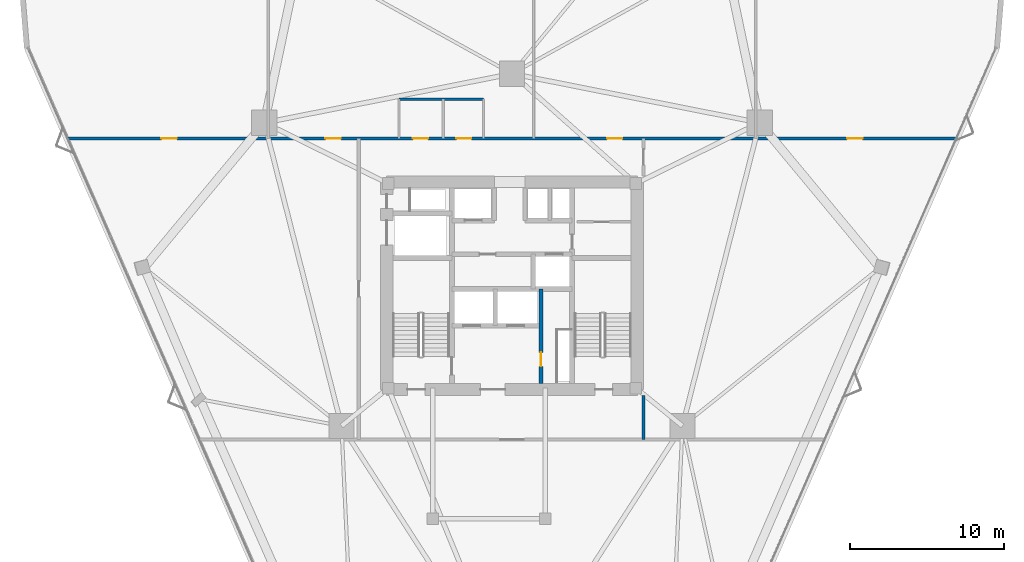
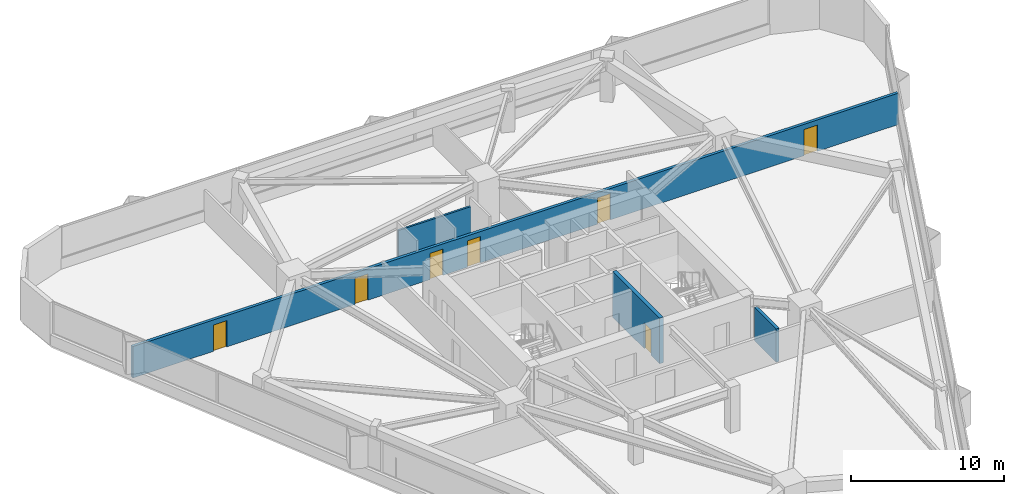
# One storey, part 16 of 19: 7 doors, 4 walls, 7 openings.
"""IFC4 building model written with IfcOpenShell, lengths in metres."""

from ifc_helpers import new_model, si_unit, direction, frame, frame_2d, origin, place, context, subcontext, project, spatial, rectangle, extrude, material, layer, layer_set, type_object, element, fill, save


model = new_model("IFC4")

# Units and contexts
model_context = context("Model", 3, precision=1e-05, world=origin(), true_north=direction((0.0, 1.0)))
body_context = subcontext(model_context, "Body", "Model", "MODEL_VIEW")
ifc_project = project(units=[si_unit("LENGTHUNIT", "METRE"), si_unit("AREAUNIT", "SQUARE_METRE"), si_unit("VOLUMEUNIT", "CUBIC_METRE"), si_unit("PLANEANGLEUNIT", "RADIAN"), si_unit("MASSUNIT", "GRAM", prefix="KILO")], contexts=[model_context])

# Site, building, storey
site_placement = place(None, origin())
site = spatial("IfcSite", under=ifc_project, at=site_placement, CompositionType="ELEMENT")
building_placement = place(site_placement, origin())
building = spatial("IfcBuilding", under=site, at=building_placement, Name="Talyreon Biosciences Tower", CompositionType="ELEMENT")
storey_placement = place(building_placement, frame((0.0, 0.0, 82.300048828125)))
storey = spatial("IfcBuildingStorey", under=building, at=storey_placement, Name="L21", CompositionType="ELEMENT", Elevation=82.300048828125)

# Wall, opening, door
ifc_material_1 = material(Name="Concrete C50/60", Category="concrete")
ifc_layer_1 = layer(ifc_material_1, 0.280029296875)
ifc_layer_set_1 = layer_set([ifc_layer_1], Name="Concrete C50/60")
wall_type_1 = type_object("IfcWallType", Name="CoreShearWall_280", PredefinedType="SHEAR", material=ifc_layer_set_1)
wall_1_placement = place(storey_placement, frame((67.8798828125, 61.64990234375, 0.0), z_axis=(0.0, 0.0, 1.0), x_axis=(0.0, 1.0, 0.0)))
wall_1 = element("IfcWall", 1, at=wall_1_placement, inside=storey, type_object=wall_type_1, Name="L21 Core Shaft Wall SWFFE", PredefinedType="SHEAR", context=body_context, shape_type="SweptSolid", body=[
    extrude(rectangle(XDim=6.150146484375, YDim=0.280029296875, at=frame_2d((3.0751953125, 0.0))), origin(), (0.0, 0.0, 1.0), 3.64990234375),
])
opening_1_placement = place(wall_1_placement, frame((1.10009765625, 0.0, 0.0)))
opening_1 = element("IfcOpeningElement", 2, at=opening_1_placement, cuts=wall_1, Name="Opening DR-L21-RSE", PredefinedType="OPENING", context=body_context, shape_type="SweptSolid", body=[
    extrude(rectangle(XDim=0.919921875, YDim=2.050048828125, at=frame_2d((0.4599609375, 1.02490234375))), frame((0.0, 0.14990234375, 0.0), z_axis=(0.0, -1.0, 0.0), x_axis=(1.0, 0.0, 0.0)), (0.0, 0.0, 1.0), 0.300048828125),
])
ifc_material_2 = material(Name="Painted steel fire-rated riser door", Category="steel")
door_type_1 = type_object("IfcDoorType", Name="RiserPlantAccessDoor_920x2050", OperationType="NOTDEFINED", PredefinedType="DOOR", material=ifc_material_2)
door_1_placement = place(opening_1_placement, origin())
door_1 = element("IfcDoor", 3, at=door_1_placement, inside=storey, type_object=door_type_1, Name="L21 Core Door DR-L21-RSE", OperationType="SINGLE_SWING_RIGHT", OverallHeight=2.050048828125, OverallWidth=0.919921875, PredefinedType="DOOR", context=body_context, shape_type="SweptSolid", body=[
    extrude(rectangle(XDim=0.919921875, YDim=2.050048828125, at=frame_2d((0.4599609375, 1.02490234375))), frame((0.0, 0.02490234375, 0.0), z_axis=(0.0, -1.0, 0.0), x_axis=(1.0, 0.0, 0.0)), (0.0, 0.0, 1.0), 0.050048828125),
])
fill(opening_1, door_1)

# Wall, openings, doors
ifc_material_3 = material(Name="Gypsum fireboard acoustic stud", Category="gypsum")
ifc_layer_2 = layer(ifc_material_3, 0.219970703125)
ifc_layer_set_2 = layer_set([ifc_layer_2], Name="Gypsum fireboard acoustic stud")
wall_type_2 = type_object("IfcWallType", Name="CorridorRatedPartition_220", PredefinedType="PARTITIONING", material=ifc_layer_set_2)
wall_2_placement = place(storey_placement, frame((37.105224609375, 77.580078125, 0.0), z_axis=(0.0, 0.0, 1.0), x_axis=(1.0, 0.0, 0.0)))
wall_2 = element("IfcWall", 4, at=wall_2_placement, inside=storey, type_object=wall_type_2, Name="L21 Interior Wall IW-L21-COR-N", PredefinedType="PARTITIONING", context=body_context, shape_type="SweptSolid", body=[
    extrude(rectangle(XDim=57.78955078125, YDim=0.219970703125, at=frame_2d((28.894775390625, 0.0))), origin(), (0.0, 0.0, 1.0), 2.5048828125),
])
opening_2_placement = place(wall_2_placement, frame((22.455078125, 0.0, 0.0)))
opening_2 = element("IfcOpeningElement", 5, at=opening_2_placement, cuts=wall_2, Name="Opening DR-L21-WC", PredefinedType="OPENING", context=body_context, shape_type="SweptSolid", body=[
    extrude(rectangle(XDim=0.97998046875, YDim=2.10009765625, at=frame_2d((0.489990234375, 1.050048828125))), frame((0.0, 0.119873046875, 0.0), z_axis=(0.0, -1.0, 0.0), x_axis=(1.0, 0.0, 0.0)), (0.0, 0.0, 1.0), 0.239990234375),
])
opening_3_placement = place(wall_2_placement, frame((25.280029296875, 0.0, 0.0)))
opening_3 = element("IfcOpeningElement", 6, at=opening_3_placement, cuts=wall_2, Name="Opening DR-L21-AWC", PredefinedType="OPENING", context=body_context, shape_type="SweptSolid", body=[
    extrude(rectangle(XDim=0.97998046875, YDim=2.10009765625, at=frame_2d((0.489990234375, 1.050048828125))), frame((0.0, 0.119873046875, 0.0), z_axis=(0.0, -1.0, 0.0), x_axis=(1.0, 0.0, 0.0)), (0.0, 0.0, 1.0), 0.239990234375),
])
opening_4_placement = place(wall_2_placement, frame((6.10205078125, 0.0, 0.0)))
opening_4 = element("IfcOpeningElement", 7, at=opening_4_placement, cuts=wall_2, Name="Opening DR-L21-N1A", PredefinedType="OPENING", context=body_context, shape_type="SweptSolid", body=[
    extrude(rectangle(XDim=1.0, YDim=2.10009765625, at=frame_2d((0.5, 1.050048828125))), frame((0.0, 0.119873046875, 0.0), z_axis=(0.0, -1.0, 0.0), x_axis=(1.0, 0.0, 0.0)), (0.0, 0.0, 1.0), 0.239990234375),
])
opening_5_placement = place(wall_2_placement, frame((16.759033203125, 0.0, 0.0)))
opening_5 = element("IfcOpeningElement", 8, at=opening_5_placement, cuts=wall_2, Name="Opening DR-L21-N2A", PredefinedType="OPENING", context=body_context, shape_type="SweptSolid", body=[
    extrude(rectangle(XDim=1.0, YDim=2.10009765625, at=frame_2d((0.5, 1.050048828125))), frame((0.0, 0.119873046875, 0.0), z_axis=(0.0, -1.0, 0.0), x_axis=(1.0, 0.0, 0.0)), (0.0, 0.0, 1.0), 0.239990234375),
])
opening_6_placement = place(wall_2_placement, frame((35.080078125, 0.0, 0.0)))
opening_6 = element("IfcOpeningElement", 9, at=opening_6_placement, cuts=wall_2, Name="Opening DR-L21-N3A", PredefinedType="OPENING", context=body_context, shape_type="SweptSolid", body=[
    extrude(rectangle(XDim=1.0, YDim=2.10009765625, at=frame_2d((0.5, 1.050048828125))), frame((0.0, 0.119873046875, 0.0), z_axis=(0.0, -1.0, 0.0), x_axis=(1.0, 0.0, 0.0)), (0.0, 0.0, 1.0), 0.239990234375),
])
opening_7_placement = place(wall_2_placement, frame((50.68798828125, 0.0, 0.0)))
opening_7 = element("IfcOpeningElement", 10, at=opening_7_placement, cuts=wall_2, Name="Opening DR-L21-N4A", PredefinedType="OPENING", context=body_context, shape_type="SweptSolid", body=[
    extrude(rectangle(XDim=1.0, YDim=2.10009765625, at=frame_2d((0.5, 1.050048828125))), frame((0.0, 0.119873046875, 0.0), z_axis=(0.0, -1.0, 0.0), x_axis=(1.0, 0.0, 0.0)), (0.0, 0.0, 1.0), 0.239990234375),
])
ifc_material_4 = material(Name="Laminate moisture-resistant door", Category="wood")
door_type_2 = type_object("IfcDoorType", Name="AccessibleToiletDoor_980x2100", OperationType="NOTDEFINED", PredefinedType="DOOR", material=ifc_material_4)
door_2_placement = place(opening_2_placement, origin())
door_2 = element("IfcDoor", 11, at=door_2_placement, inside=storey, type_object=door_type_2, Name="L21 Interior Door DR-L21-WC", OperationType="SINGLE_SWING_LEFT", OverallHeight=2.10009765625, OverallWidth=0.97998046875, PredefinedType="DOOR", context=body_context, shape_type="SweptSolid", body=[
    extrude(rectangle(XDim=0.97998046875, YDim=2.10009765625, at=frame_2d((0.489990234375, 1.050048828125))), frame((0.0, 0.02490234375, 0.0), z_axis=(0.0, -1.0, 0.0), x_axis=(1.0, 0.0, 0.0)), (0.0, 0.0, 1.0), 0.050048828125),
])
fill(opening_2, door_2)
door_3_placement = place(opening_3_placement, origin())
door_3 = element("IfcDoor", 12, at=door_3_placement, inside=storey, type_object=door_type_2, Name="L21 Interior Door DR-L21-AWC", OperationType="SINGLE_SWING_LEFT", OverallHeight=2.10009765625, OverallWidth=0.97998046875, PredefinedType="DOOR", context=body_context, shape_type="SweptSolid", body=[
    extrude(rectangle(XDim=0.97998046875, YDim=2.10009765625, at=frame_2d((0.489990234375, 1.050048828125))), frame((0.0, 0.02490234375, 0.0), z_axis=(0.0, -1.0, 0.0), x_axis=(1.0, 0.0, 0.0)), (0.0, 0.0, 1.0), 0.050048828125),
])
fill(opening_3, door_3)
ifc_material_5 = material(Name="Acoustic oak veneer office door", Category="wood")
door_type_3 = type_object("IfcDoorType", Name="WriteupOfficeDoor_1000x2100", OperationType="NOTDEFINED", PredefinedType="DOOR", material=ifc_material_5)
door_4_placement = place(opening_4_placement, origin())
door_4 = element("IfcDoor", 13, at=door_4_placement, inside=storey, type_object=door_type_3, Name="L21 Interior Door DR-L21-N1A", OperationType="SINGLE_SWING_LEFT", OverallHeight=2.10009765625, OverallWidth=1.0, PredefinedType="DOOR", context=body_context, shape_type="SweptSolid", body=[
    extrude(rectangle(XDim=1.0, YDim=2.10009765625, at=frame_2d((0.5, 1.050048828125))), frame((0.0, 0.02490234375, 0.0), z_axis=(0.0, -1.0, 0.0), x_axis=(1.0, 0.0, 0.0)), (0.0, 0.0, 1.0), 0.050048828125),
])
fill(opening_4, door_4)
door_5_placement = place(opening_5_placement, origin())
door_5 = element("IfcDoor", 14, at=door_5_placement, inside=storey, type_object=door_type_3, Name="L21 Interior Door DR-L21-N2A", OperationType="SINGLE_SWING_LEFT", OverallHeight=2.10009765625, OverallWidth=1.0, PredefinedType="DOOR", context=body_context, shape_type="SweptSolid", body=[
    extrude(rectangle(XDim=1.0, YDim=2.10009765625, at=frame_2d((0.5, 1.050048828125))), frame((0.0, 0.02490234375, 0.0), z_axis=(0.0, -1.0, 0.0), x_axis=(1.0, 0.0, 0.0)), (0.0, 0.0, 1.0), 0.050048828125),
])
fill(opening_5, door_5)
door_6_placement = place(opening_6_placement, origin())
door_6 = element("IfcDoor", 15, at=door_6_placement, inside=storey, type_object=door_type_3, Name="L21 Interior Door DR-L21-N3A", OperationType="SINGLE_SWING_LEFT", OverallHeight=2.10009765625, OverallWidth=1.0, PredefinedType="DOOR", context=body_context, shape_type="SweptSolid", body=[
    extrude(rectangle(XDim=1.0, YDim=2.10009765625, at=frame_2d((0.5, 1.050048828125))), frame((0.0, 0.02490234375, 0.0), z_axis=(0.0, -1.0, 0.0), x_axis=(1.0, 0.0, 0.0)), (0.0, 0.0, 1.0), 0.050048828125),
])
fill(opening_6, door_6)
door_7_placement = place(opening_7_placement, origin())
door_7 = element("IfcDoor", 16, at=door_7_placement, inside=storey, type_object=door_type_3, Name="L21 Interior Door DR-L21-N4A", OperationType="SINGLE_SWING_LEFT", OverallHeight=2.10009765625, OverallWidth=1.0, PredefinedType="DOOR", context=body_context, shape_type="SweptSolid", body=[
    extrude(rectangle(XDim=1.0, YDim=2.10009765625, at=frame_2d((0.5, 1.050048828125))), frame((0.0, 0.02490234375, 0.0), z_axis=(0.0, -1.0, 0.0), x_axis=(1.0, 0.0, 0.0)), (0.0, 0.0, 1.0), 0.050048828125),
])
fill(opening_7, door_7)

# Walls
wall_3_placement = place(storey_placement, frame((74.550048828125, 58.0, 0.0), z_axis=(0.0, 0.0, 1.0), x_axis=(0.0, 1.0, 0.0)))
element("IfcWall", 17, at=wall_3_placement, inside=storey, type_object=wall_type_2, Name="L21 Interior Wall IW-L21-ECAP-S", PredefinedType="PARTITIONING", context=body_context, shape_type="SweptSolid", body=[
    extrude(rectangle(XDim=2.85009765625, YDim=0.219970703125, at=frame_2d((1.425048828125, 0.0))), origin(), (0.0, 0.0, 1.0), 2.655029296875),
])
ifc_material_6 = material(Name="Moisture-resistant cement-board stud", Category="gypsum")
ifc_layer_3 = layer(ifc_material_6, 0.14501953125)
ifc_layer_set_3 = layer_set([ifc_layer_3], Name="Moisture-resistant cement-board stud")
wall_type_3 = type_object("IfcWallType", Name="WetRoomPartition_145", PredefinedType="PARTITIONING", material=ifc_layer_set_3)
wall_4_placement = place(storey_placement, frame((58.64990234375, 80.1298828125, 0.0), z_axis=(0.0, 0.0, 1.0), x_axis=(1.0, 0.0, 0.0)))
element("IfcWall", 18, at=wall_4_placement, inside=storey, type_object=wall_type_3, Name="L21 Interior Wall IW-L21-WCT", PredefinedType="PARTITIONING", context=body_context, shape_type="SweptSolid", body=[
    extrude(rectangle(XDim=5.5, YDim=0.14501953125, at=frame_2d((2.75, 0.0))), origin(), (0.0, 0.0, 1.0), 2.655029296875),
])

save(model, "model.ifc")
